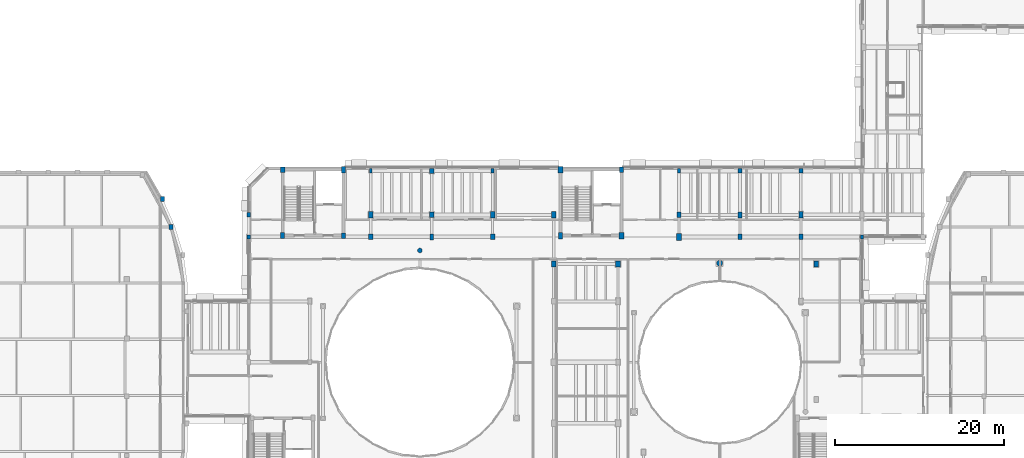
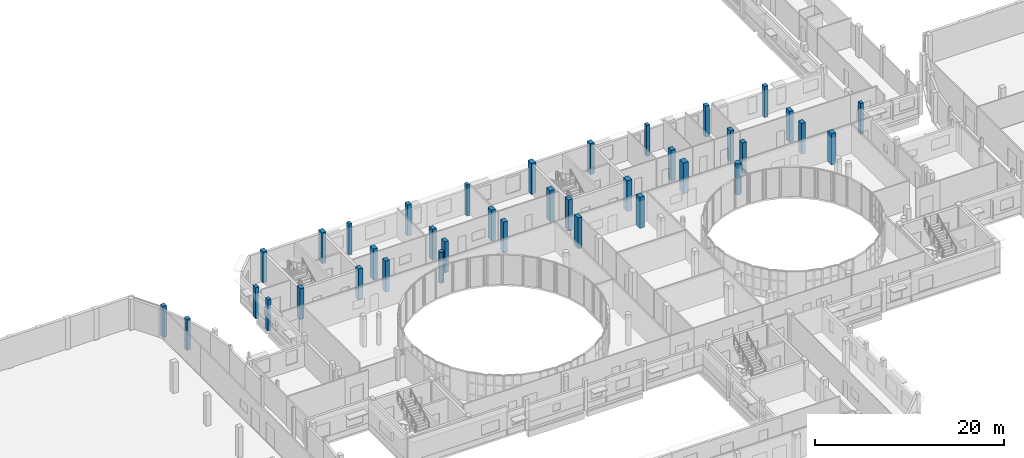
# One storey, part 10 of 105: 37 columns.
"""IFC4 building model written with IfcOpenShell, lengths in metres."""

from ifc_helpers import new_model, si_unit, direction, frame, origin, origin_2d, place, context, subcontext, project, spatial, rectangle, circle, extrude, material, material_profile, profile_set, type_object, element, save


model = new_model("IFC4")

# Units and contexts
model_context = context("Model", 3, precision=1e-05, world=origin(), true_north=direction((0.0, 1.0)))
body_context = subcontext(model_context, "Body", "Model", "MODEL_VIEW")
ifc_project = project(units=[si_unit("LENGTHUNIT", "METRE"), si_unit("AREAUNIT", "SQUARE_METRE"), si_unit("VOLUMEUNIT", "CUBIC_METRE"), si_unit("PLANEANGLEUNIT", "RADIAN"), si_unit("MASSUNIT", "GRAM", prefix="KILO")], contexts=[model_context])

# Site, building, storey
site_placement = place(None, origin())
site = spatial("IfcSite", under=ifc_project, at=site_placement, CompositionType="ELEMENT")
building_placement = place(site_placement, origin())
building = spatial("IfcBuilding", under=site, at=building_placement, Name="Kelanivale Promenade Academy", CompositionType="ELEMENT")
storey_placement = place(building_placement, frame((0.0, 0.0, 4.199951171875)))
storey = spatial("IfcBuildingStorey", under=building, at=storey_placement, Name="L01", CompositionType="ELEMENT", Elevation=4.199951171875)

# Columns
ifc_material = material(Name="Concrete C40/50", Category="concrete")
ifc_material_profile_1 = material_profile(ifc_material, rectangle(XDim=0.449951171875, YDim=0.699951171875, at=origin_2d()), Name="RC-COL 450x700")
ifc_profile_set_1 = profile_set([ifc_material_profile_1], Name="Concrete C40/50")
column_type_1 = type_object("IfcColumnType", Name="C-10 RC-COL 450x700", PredefinedType="COLUMN", material=ifc_profile_set_1)
for number, where, z_axis, x_axis, name in (
    (1, (47.199951171875, 71.75, 0.0), (0.0, 0.0, 1.0), (1.0, 0.0, 0.0), "Column C-10 at (47.2, 71.8) L01"),
    (2, (64.800048828125, 71.60009765625, 0.0), (0.0, 0.0, 1.0), (1.0, 0.0, 0.0), "Column C-10 at (64.8, 71.6) L01"),
    (3, (101.199951171875, 74.199951171875, 0.0), (0.0, 0.0, 1.0), (1.0, 0.0, 0.0), "Column C-10 at (101.2, 74.2) L01"),
):
    element("IfcColumn", number, at=place(storey_placement, frame(where, z_axis=z_axis, x_axis=x_axis)), inside=storey, type_object=column_type_1, Name=name, PredefinedType="COLUMN", context=body_context, shape_type="SweptSolid", body=[
        extrude(rectangle(XDim=0.449951171875, YDim=0.699951171875, at=origin_2d()), origin(), (0.0, 0.0, 1.0), 4.0),
    ])
ifc_material_profile_2 = material_profile(ifc_material, rectangle(XDim=0.5, YDim=0.64990234375, at=origin_2d()), Name="RC-COL 500x650")
ifc_profile_set_2 = profile_set([ifc_material_profile_2], Name="Concrete C40/50")
column_type_2 = type_object("IfcColumnType", Name="C-11 RC-COL 500x650", PredefinedType="COLUMN", material=ifc_profile_set_2)
for number, where, z_axis, x_axis, name in (
    (4, (47.199951171875, 79.550048828125, 0.0), (0.0, 0.0, 1.0), (1.0, 0.0, 0.0), "Column C-11 at (47.2, 79.5) L01"),
    (5, (54.39990234375, 71.75, 0.0), (0.0, 0.0, 1.0), (1.0, 0.0, 0.0), "Column C-11 at (54.4, 71.8) L01"),
    (6, (57.60009765625, 71.60009765625, 0.0), (0.0, 0.0, 1.0), (1.0, 0.0, 0.0), "Column C-11 at (57.6, 71.6) L01"),
    (7, (64.800048828125, 74.199951171875, 0.0), (0.0, 0.0, 1.0), (1.0, 0.0, 0.0), "Column C-11 at (64.8, 74.2) L01"),
    (8, (72.0, 71.60009765625, 0.0), (0.0, 0.0, 1.0), (1.0, 0.0, 0.0), "Column C-11 at (72.0, 71.6) L01"),
    (9, (87.199951171875, 79.550048828125, 0.0), (0.0, 0.0, 1.0), (1.0, 0.0, 0.0), "Column C-11 at (87.2, 79.5) L01"),
    (10, (94.0, 74.199951171875, 0.0), (0.0, 0.0, 1.0), (1.0, 0.0, 0.0), "Column C-11 at (94.0, 74.2) L01"),
    (11, (101.199951171875, 71.60009765625, 0.0), (0.0, 0.0, 1.0), (1.0, 0.0, 0.0), "Column C-11 at (101.2, 71.6) L01"),
    (12, (108.39990234375, 71.60009765625, 0.0), (0.0, 0.0, 1.0), (1.0, 0.0, 0.0), "Column C-11 at (108.4, 71.6) L01"),
):
    element("IfcColumn", number, at=place(storey_placement, frame(where, z_axis=z_axis, x_axis=x_axis)), inside=storey, type_object=column_type_2, Name=name, PredefinedType="COLUMN", context=body_context, shape_type="SweptSolid", body=[
        extrude(rectangle(XDim=0.5, YDim=0.64990234375, at=origin_2d()), origin(), (0.0, 0.0, 1.0), 4.0),
    ])
ifc_material_profile_3 = material_profile(ifc_material, rectangle(XDim=0.5, YDim=0.75, at=origin_2d()), Name="RC-COL 500x750")
ifc_profile_set_3 = profile_set([ifc_material_profile_3], Name="Concrete C40/50")
column_type_3 = type_object("IfcColumnType", Name="C-12 RC-COL 500x750", PredefinedType="COLUMN", material=ifc_profile_set_3)
for number, where, z_axis, x_axis, name in (
    (13, (54.39990234375, 79.550048828125, 0.0), (0.0, 0.0, 1.0), (1.0, 0.0, 0.0), "Column C-12 at (54.4, 79.5) L01"),
    (14, (57.60009765625, 74.199951171875, 0.0), (0.0, 0.0, 1.0), (1.0, 0.0, 0.0), "Column C-12 at (57.6, 74.2) L01"),
    (15, (72.0, 74.199951171875, 0.0), (0.0, 0.0, 1.0), (1.0, 0.0, 0.0), "Column C-12 at (72.0, 74.2) L01"),
    (16, (79.199951171875, 68.39990234375, 0.0), (0.0, 0.0, 1.0), (1.0, 0.0, 0.0), "Column C-12 at (79.2, 68.4) L01"),
    (17, (80.0, 71.75, 0.0), (0.0, 0.0, 1.0), (1.0, 0.0, 0.0), "Column C-12 at (80.0, 71.8) L01"),
    (18, (108.39990234375, 74.199951171875, 0.0), (0.0, 0.0, 1.0), (1.0, 0.0, 0.0), "Column C-12 at (108.4, 74.2) L01"),
):
    element("IfcColumn", number, at=place(storey_placement, frame(where, z_axis=z_axis, x_axis=x_axis)), inside=storey, type_object=column_type_3, Name=name, PredefinedType="COLUMN", context=body_context, shape_type="SweptSolid", body=[
        extrude(rectangle(XDim=0.5, YDim=0.75, at=origin_2d()), origin(), (0.0, 0.0, 1.0), 4.0),
    ])
ifc_material_profile_4 = material_profile(ifc_material, rectangle(XDim=0.550048828125, YDim=0.75, at=origin_2d()), Name="RC-COL 550x750")
ifc_profile_set_4 = profile_set([ifc_material_profile_4], Name="Concrete C40/50")
column_type_4 = type_object("IfcColumnType", Name="C-13 RC-COL 550x750", PredefinedType="COLUMN", material=ifc_profile_set_4)
for number, where, z_axis, x_axis, name in (
    (19, (79.199951171875, 74.199951171875, 0.0), (0.0, 0.0, 1.0), (1.0, 0.0, 0.0), "Column C-13 at (79.2, 74.2) L01"),
    (20, (80.0, 79.550048828125, 0.0), (0.0, 0.0, 1.0), (1.0, 0.0, 0.0), "Column C-13 at (80.0, 79.5) L01"),
    (21, (86.800048828125, 68.39990234375, 0.0), (0.0, 0.0, 1.0), (1.0, 0.0, 0.0), "Column C-13 at (86.8, 68.4) L01"),
    (22, (110.199951171875, 68.39990234375, 0.0), (0.0, 0.0, 1.0), (1.0, 0.0, 0.0), "Column C-13 at (110.2, 68.4) L01"),
):
    element("IfcColumn", number, at=place(storey_placement, frame(where, z_axis=z_axis, x_axis=x_axis)), inside=storey, type_object=column_type_4, Name=name, PredefinedType="COLUMN", context=body_context, shape_type="SweptSolid", body=[
        extrude(rectangle(XDim=0.550048828125, YDim=0.75, at=origin_2d()), origin(), (0.0, 0.0, 1.0), 4.0),
    ])
ifc_material_profile_5 = material_profile(ifc_material, rectangle(XDim=0.60009765625, YDim=0.800048828125, at=origin_2d()), Name="RC-COL 600x800")
ifc_profile_set_5 = profile_set([ifc_material_profile_5], Name="Concrete C40/50")
column_type_5 = type_object("IfcColumnType", Name="C-14 RC-COL 600x800", PredefinedType="COLUMN", material=ifc_profile_set_5)
for number, where, z_axis, x_axis, name in (
    (23, (87.199951171875, 71.75, 0.0), (0.0, 0.0, 1.0), (1.0, 0.0, 0.0), "Column C-14 at (87.2, 71.8) L01"),
    (24, (94.0, 71.60009765625, 0.0), (0.0, 0.0, 1.0), (1.0, 0.0, 0.0), "Column C-14 at (94.0, 71.6) L01"),
):
    element("IfcColumn", number, at=place(storey_placement, frame(where, z_axis=z_axis, x_axis=x_axis)), inside=storey, type_object=column_type_5, Name=name, PredefinedType="COLUMN", context=body_context, shape_type="SweptSolid", body=[
        extrude(rectangle(XDim=0.60009765625, YDim=0.800048828125, at=origin_2d()), origin(), (0.0, 0.0, 1.0), 4.0),
    ])
ifc_material_profile_6 = material_profile(ifc_material, circle(Radius=0.27490234375, at=origin_2d()), Name="RC-COL D550")
ifc_profile_set_6 = profile_set([ifc_material_profile_6], Name="Concrete C40/50")
column_type_6 = type_object("IfcColumnType", Name="CC-21 RC-COL D550", PredefinedType="COLUMN", material=ifc_profile_set_6)
column_1_placement = place(storey_placement, frame((63.39990234375, 70.0, 0.0), z_axis=(0.0, 0.0, 1.0), x_axis=(1.0, 0.0, 0.0)))
element("IfcColumn", 25, at=column_1_placement, inside=storey, type_object=column_type_6, Name="Column CC-21 at (63.4, 70.0) L01", PredefinedType="COLUMN", context=body_context, shape_type="SweptSolid", body=[
    extrude(circle(Radius=0.27490234375, at=origin_2d()), origin(), (0.0, 0.0, 1.0), 4.0),
])
ifc_material_profile_7 = material_profile(ifc_material, circle(Radius=0.35009765625, at=origin_2d()), Name="RC-COL D700")
ifc_profile_set_7 = profile_set([ifc_material_profile_7], Name="Concrete C40/50")
column_type_7 = type_object("IfcColumnType", Name="CC-24 RC-COL D700", PredefinedType="COLUMN", material=ifc_profile_set_7)
column_2_placement = place(storey_placement, frame((98.800048828125, 68.5, 0.0), z_axis=(0.0, 0.0, 1.0), x_axis=(1.0, 0.0, 0.0)))
element("IfcColumn", 26, at=column_2_placement, inside=storey, type_object=column_type_7, Name="Column CC-24 at (98.8, 68.5) L01", PredefinedType="COLUMN", context=body_context, shape_type="SweptSolid", body=[
    extrude(circle(Radius=0.35009765625, at=origin_2d()), origin(), (0.0, 0.0, 1.0), 4.0),
])
ifc_material_profile_8 = material_profile(ifc_material, rectangle(XDim=0.35009765625, YDim=0.5, at=origin_2d()), Name="RC-PIL 350x500")
ifc_profile_set_8 = profile_set([ifc_material_profile_8], Name="Concrete C40/50")
column_type_8 = type_object("IfcColumnType", Name="PL-15 RC-PIL 350x500", PredefinedType="PILASTER", material=ifc_profile_set_8)
for number, where, z_axis, x_axis, name in (
    (27, (57.60009765625, 79.39990234375, 0.0), (0.0, 0.0, 1.0), (1.0, 0.0, 0.0), "Column PL-15 at (57.6, 79.4) L01"),
    (28, (72.0, 79.39990234375, 0.0), (0.0, 0.0, 1.0), (1.0, 0.0, 0.0), "Column PL-15 at (72.0, 79.4) L01"),
    (29, (115.60009765625, 71.60009765625, 0.0), (0.0, 0.0, 1.0), (1.0, 0.0, 0.0), "Column PL-15 at (115.6, 71.6) L01"),
):
    element("IfcColumn", number, at=place(storey_placement, frame(where, z_axis=z_axis, x_axis=x_axis)), inside=storey, type_object=column_type_8, Name=name, PredefinedType="PILASTER", context=body_context, shape_type="SweptSolid", body=[
        extrude(rectangle(XDim=0.35009765625, YDim=0.5, at=origin_2d()), origin(), (0.0, 0.0, 1.0), 4.0),
    ])
ifc_material_profile_9 = material_profile(ifc_material, rectangle(XDim=0.39990234375, YDim=0.5, at=origin_2d()), Name="RC-PIL 400x500")
ifc_profile_set_9 = profile_set([ifc_material_profile_9], Name="Concrete C40/50")
column_type_9 = type_object("IfcColumnType", Name="PL-16 RC-PIL 400x500", PredefinedType="PILASTER", material=ifc_profile_set_9)
for number, where, z_axis, x_axis, name in (
    (30, (43.199951171875, 71.60009765625, 0.0), (0.0, 0.0, 1.0), (1.0, 0.0, 0.0), "Column PL-16 at (43.2, 71.6) L01"),
    (31, (94.0, 79.39990234375, 0.0), (0.0, 0.0, 1.0), (1.0, 0.0, 0.0), "Column PL-16 at (94.0, 79.4) L01"),
):
    element("IfcColumn", number, at=place(storey_placement, frame(where, z_axis=z_axis, x_axis=x_axis)), inside=storey, type_object=column_type_9, Name=name, PredefinedType="PILASTER", context=body_context, shape_type="SweptSolid", body=[
        extrude(rectangle(XDim=0.39990234375, YDim=0.5, at=origin_2d()), origin(), (0.0, 0.0, 1.0), 4.0),
    ])
ifc_material_profile_10 = material_profile(ifc_material, rectangle(XDim=0.449951171875, YDim=0.550048828125, at=origin_2d()), Name="RC-PIL 450x550")
ifc_profile_set_10 = profile_set([ifc_material_profile_10], Name="Concrete C40/50")
column_type_10 = type_object("IfcColumnType", Name="PL-17 RC-PIL 450x550", PredefinedType="PILASTER", material=ifc_profile_set_10)
for number, where, z_axis, x_axis, name in (
    (32, (33.010009765625, 76.0859375, 0.0), (0.0, 0.0, 1.0), (1.0, 0.0, 0.0), "Column PL-17 at (33.0, 76.1) L01"),
    (33, (34.0, 72.77099609375, 0.0), (0.0, 0.0, 1.0), (1.0, 0.0, 0.0), "Column PL-17 at (34.0, 72.8) L01"),
    (34, (43.199951171875, 74.199951171875, 0.0), (0.0, 0.0, 1.0), (1.0, 0.0, 0.0), "Column PL-17 at (43.2, 74.2) L01"),
    (35, (101.199951171875, 79.39990234375, 0.0), (0.0, 0.0, 1.0), (1.0, 0.0, 0.0), "Column PL-17 at (101.2, 79.4) L01"),
    (36, (108.39990234375, 79.39990234375, 0.0), (0.0, 0.0, 1.0), (1.0, 0.0, 0.0), "Column PL-17 at (108.4, 79.4) L01"),
):
    element("IfcColumn", number, at=place(storey_placement, frame(where, z_axis=z_axis, x_axis=x_axis)), inside=storey, type_object=column_type_10, Name=name, PredefinedType="PILASTER", context=body_context, shape_type="SweptSolid", body=[
        extrude(rectangle(XDim=0.449951171875, YDim=0.550048828125, at=origin_2d()), origin(), (0.0, 0.0, 1.0), 4.0),
    ])
ifc_material_profile_11 = material_profile(ifc_material, rectangle(XDim=0.5, YDim=0.60009765625, at=origin_2d()), Name="RC-PIL 500x600")
ifc_profile_set_11 = profile_set([ifc_material_profile_11], Name="Concrete C40/50")
column_type_11 = type_object("IfcColumnType", Name="PL-18 RC-PIL 500x600", PredefinedType="PILASTER", material=ifc_profile_set_11)
column_3_placement = place(storey_placement, frame((64.800048828125, 79.39990234375, 0.0), z_axis=(0.0, 0.0, 1.0), x_axis=(1.0, 0.0, 0.0)))
element("IfcColumn", 37, at=column_3_placement, inside=storey, type_object=column_type_11, Name="Column PL-18 at (64.8, 79.4) L01", PredefinedType="PILASTER", context=body_context, shape_type="SweptSolid", body=[
    extrude(rectangle(XDim=0.5, YDim=0.60009765625, at=origin_2d()), origin(), (0.0, 0.0, 1.0), 4.0),
])

save(model, "model.ifc")
